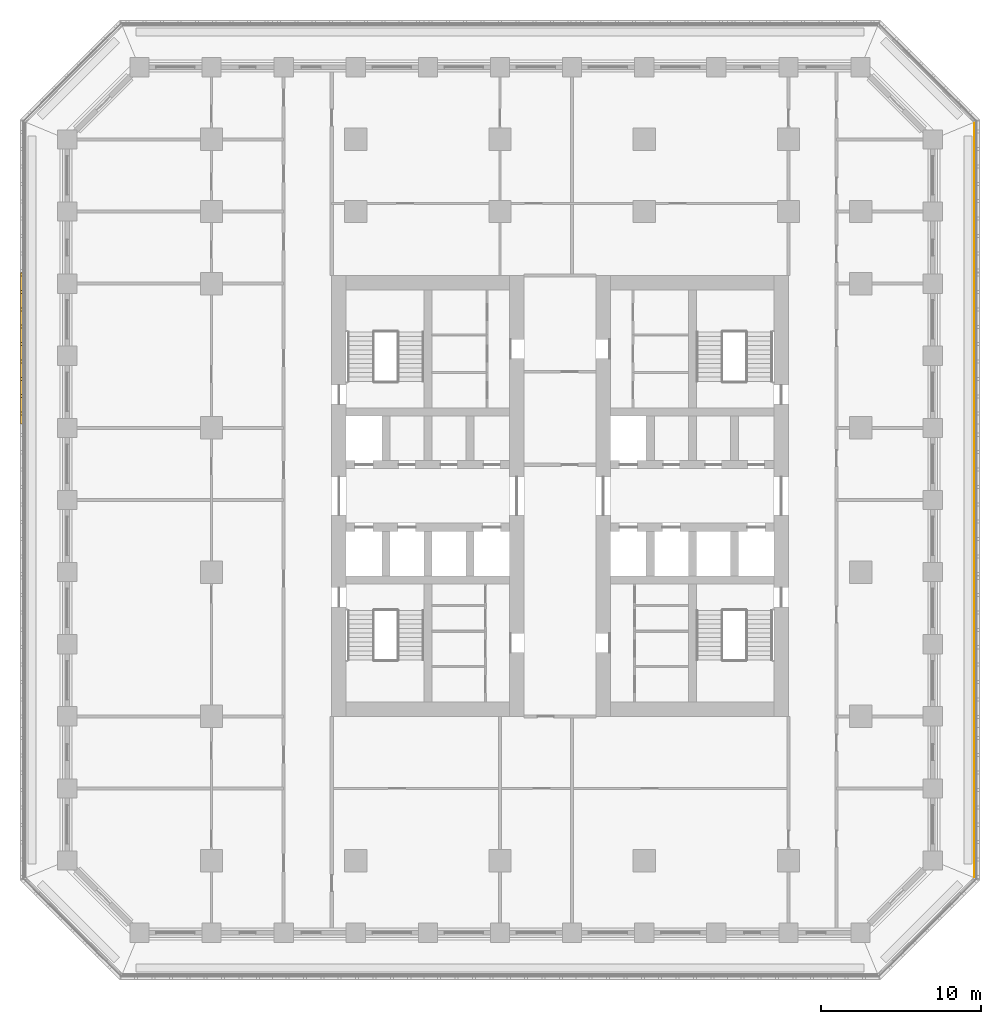
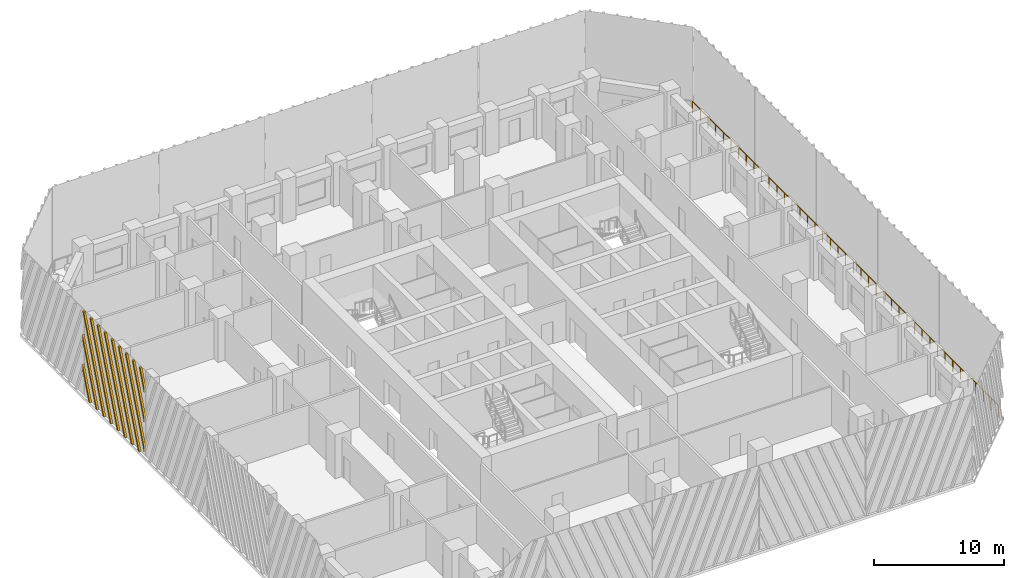
# One storey, part 14 of 19: 1 railing, 1 shading device.
"""IFC4 building model written with IfcOpenShell, lengths in metres."""

from ifc_helpers import new_model, si_unit, direction, frame, origin, origin_2d, place, context, subcontext, project, spatial, polyline, circle, outline, extrude, source, transform, mapped, material, type_object, element, save


model = new_model("IFC4")

# Units and contexts
model_context = context("Model", 3, precision=1e-05, world=origin(), true_north=direction((0.0, 1.0)))
body_context = subcontext(model_context, "Body", "Model", "MODEL_VIEW")
ifc_project = project(units=[si_unit("LENGTHUNIT", "METRE"), si_unit("AREAUNIT", "SQUARE_METRE"), si_unit("VOLUMEUNIT", "CUBIC_METRE"), si_unit("PLANEANGLEUNIT", "RADIAN"), si_unit("MASSUNIT", "GRAM", prefix="KILO")], contexts=[model_context])

# Site, building, storey
site_placement = place(None, origin())
site = spatial("IfcSite", under=ifc_project, at=site_placement, CompositionType="ELEMENT")
building_placement = place(site_placement, origin())
building = spatial("IfcBuilding", under=site, at=building_placement, Name="Corbel Stack Research Tower", CompositionType="ELEMENT")
storey_placement = place(building_placement, frame((0.0, 0.0, 133.10009765625)))
storey = spatial("IfcBuildingStorey", under=building, at=storey_placement, Name="L30", CompositionType="ELEMENT", Elevation=133.10009765625)

# Railing
ifc_material_1 = material(Name="Powder-coated steel guard", Category="steel")
railing_type = type_object("IfcRailingType", Name="Steel and glass guard 1100", PredefinedType="GUARDRAIL", material=ifc_material_1)
railing_placement = place(storey_placement, frame((29.60009765625, -19.00537109375, 0.0)))
element("IfcRailing", 1, at=railing_placement, inside=storey, type_object=railing_type, Name="Loggia guard L30 E", PredefinedType="GUARDRAIL", context=body_context, shape_type="SweptSolid", body=[
    extrude(circle(Radius=0.02392578125, at=origin_2d()), frame((0.0, 0.0, 1.076171875), z_axis=(0.0, 1.0, 0.0), x_axis=(-1.0, 0.0, 0.0)), (0.0, 0.0, 1.0), 47.0107421875),
    extrude(circle(Radius=0.02099609375, at=origin_2d()), origin(), (0.0, 0.0, 1.0), 1.052001953125),
    extrude(circle(Radius=0.02099609375, at=origin_2d()), frame((0.0, 1.17529296875, 0.0)), (0.0, 0.0, 1.0), 1.052001953125),
    extrude(circle(Radius=0.02099609375, at=origin_2d()), frame((0.0, 2.3505859375, 0.0)), (0.0, 0.0, 1.0), 1.052001953125),
    extrude(circle(Radius=0.02099609375, at=origin_2d()), frame((0.0, 3.52587890625, 0.0)), (0.0, 0.0, 1.0), 1.052001953125),
    extrude(circle(Radius=0.02099609375, at=origin_2d()), frame((0.0, 4.701171875, 0.0)), (0.0, 0.0, 1.0), 1.052001953125),
    extrude(circle(Radius=0.02099609375, at=origin_2d()), frame((0.0, 5.87646484375, 0.0)), (0.0, 0.0, 1.0), 1.052001953125),
    extrude(circle(Radius=0.02099609375, at=origin_2d()), frame((0.0, 7.051513671875, 0.0)), (0.0, 0.0, 1.0), 1.052001953125),
    extrude(circle(Radius=0.02099609375, at=origin_2d()), frame((0.0, 8.226806640625, 0.0)), (0.0, 0.0, 1.0), 1.052001953125),
    extrude(circle(Radius=0.02099609375, at=origin_2d()), frame((0.0, 9.402099609375, 0.0)), (0.0, 0.0, 1.0), 1.052001953125),
    extrude(circle(Radius=0.02099609375, at=origin_2d()), frame((0.0, 10.577392578125, 0.0)), (0.0, 0.0, 1.0), 1.052001953125),
    extrude(circle(Radius=0.02099609375, at=origin_2d()), frame((0.0, 11.752685546875, 0.0)), (0.0, 0.0, 1.0), 1.052001953125),
    extrude(circle(Radius=0.02099609375, at=origin_2d()), frame((0.0, 12.927978515625, 0.0)), (0.0, 0.0, 1.0), 1.052001953125),
    extrude(circle(Radius=0.02099609375, at=origin_2d()), frame((0.0, 14.103271484375, 0.0)), (0.0, 0.0, 1.0), 1.052001953125),
    extrude(circle(Radius=0.02099609375, at=origin_2d()), frame((0.0, 15.278564453125, 0.0)), (0.0, 0.0, 1.0), 1.052001953125),
    extrude(circle(Radius=0.02099609375, at=origin_2d()), frame((0.0, 16.453857421875, 0.0)), (0.0, 0.0, 1.0), 1.052001953125),
    extrude(circle(Radius=0.02099609375, at=origin_2d()), frame((0.0, 17.62890625, 0.0)), (0.0, 0.0, 1.0), 1.052001953125),
    extrude(circle(Radius=0.02099609375, at=origin_2d()), frame((0.0, 18.80419921875, 0.0)), (0.0, 0.0, 1.0), 1.052001953125),
    extrude(circle(Radius=0.02099609375, at=origin_2d()), frame((0.0, 19.9794921875, 0.0)), (0.0, 0.0, 1.0), 1.052001953125),
    extrude(circle(Radius=0.02099609375, at=origin_2d()), frame((0.0, 21.15478515625, 0.0)), (0.0, 0.0, 1.0), 1.052001953125),
    extrude(circle(Radius=0.02099609375, at=origin_2d()), frame((0.0, 22.330078125, 0.0)), (0.0, 0.0, 1.0), 1.052001953125),
    extrude(circle(Radius=0.02099609375, at=origin_2d()), frame((0.0, 23.50537109375, 0.0)), (0.0, 0.0, 1.0), 1.052001953125),
    extrude(circle(Radius=0.02099609375, at=origin_2d()), frame((0.0, 24.6806640625, 0.0)), (0.0, 0.0, 1.0), 1.052001953125),
    extrude(circle(Radius=0.02099609375, at=origin_2d()), frame((0.0, 25.85595703125, 0.0)), (0.0, 0.0, 1.0), 1.052001953125),
    extrude(circle(Radius=0.02099609375, at=origin_2d()), frame((0.0, 27.03125, 0.0)), (0.0, 0.0, 1.0), 1.052001953125),
    extrude(circle(Radius=0.02099609375, at=origin_2d()), frame((0.0, 28.20654296875, 0.0)), (0.0, 0.0, 1.0), 1.052001953125),
    extrude(circle(Radius=0.02099609375, at=origin_2d()), frame((0.0, 29.3818359375, 0.0)), (0.0, 0.0, 1.0), 1.052001953125),
    extrude(circle(Radius=0.02099609375, at=origin_2d()), frame((0.0, 30.556884765625, 0.0)), (0.0, 0.0, 1.0), 1.052001953125),
    extrude(circle(Radius=0.02099609375, at=origin_2d()), frame((0.0, 31.732177734375, 0.0)), (0.0, 0.0, 1.0), 1.052001953125),
    extrude(circle(Radius=0.02099609375, at=origin_2d()), frame((0.0, 32.907470703125, 0.0)), (0.0, 0.0, 1.0), 1.052001953125),
    extrude(circle(Radius=0.02099609375, at=origin_2d()), frame((0.0, 34.082763671875, 0.0)), (0.0, 0.0, 1.0), 1.052001953125),
    extrude(circle(Radius=0.02099609375, at=origin_2d()), frame((0.0, 35.258056640625, 0.0)), (0.0, 0.0, 1.0), 1.052001953125),
    extrude(circle(Radius=0.02099609375, at=origin_2d()), frame((0.0, 36.433349609375, 0.0)), (0.0, 0.0, 1.0), 1.052001953125),
    extrude(circle(Radius=0.02099609375, at=origin_2d()), frame((0.0, 37.608642578125, 0.0)), (0.0, 0.0, 1.0), 1.052001953125),
    extrude(circle(Radius=0.02099609375, at=origin_2d()), frame((0.0, 38.783935546875, 0.0)), (0.0, 0.0, 1.0), 1.052001953125),
    extrude(circle(Radius=0.02099609375, at=origin_2d()), frame((0.0, 39.959228515625, 0.0)), (0.0, 0.0, 1.0), 1.052001953125),
    extrude(circle(Radius=0.02099609375, at=origin_2d()), frame((0.0, 41.13427734375, 0.0)), (0.0, 0.0, 1.0), 1.052001953125),
    extrude(circle(Radius=0.02099609375, at=origin_2d()), frame((0.0, 42.3095703125, 0.0)), (0.0, 0.0, 1.0), 1.052001953125),
    extrude(circle(Radius=0.02099609375, at=origin_2d()), frame((0.0, 43.48486328125, 0.0)), (0.0, 0.0, 1.0), 1.052001953125),
    extrude(circle(Radius=0.02099609375, at=origin_2d()), frame((0.0, 44.66015625, 0.0)), (0.0, 0.0, 1.0), 1.052001953125),
    extrude(circle(Radius=0.02099609375, at=origin_2d()), frame((0.0, 45.83544921875, 0.0)), (0.0, 0.0, 1.0), 1.052001953125),
    extrude(circle(Radius=0.02099609375, at=origin_2d()), frame((0.0, 47.0107421875, 0.0)), (0.0, 0.0, 1.0), 1.052001953125),
])

# Shading device
ifc_material_2 = material(Name="Precast terracotta", Category="masonry")
shading_device_type = type_object("IfcShadingDeviceType", Name="Terracotta screen panel", PredefinedType="USERDEFINED", material=ifc_material_2)
shared_shape = source(origin(), body_context, "Body", "SweptSolid", [
    extrude(outline(polyline([(1.14453125, 0.0), (0.0, 2.930419921875), (0.0, 2.44384765625), (0.95458984375, 0.0), (1.14453125, 0.0)])), frame((0.0, 0.0, 0.0), z_axis=(0.0, -1.0, 0.0), x_axis=(1.0, 0.0, 0.0)), (0.0, 0.0, 1.0), 0.179931640625),
    extrude(outline(polyline([(2.22900390625, 0.0), (0.0, 5.707763671875), (0.0, 5.22119140625), (2.0390625, 0.0), (2.22900390625, 0.0)])), frame((0.0, 0.0, 0.0), z_axis=(0.0, -1.0, 0.0), x_axis=(1.0, 0.0, 0.0)), (0.0, 0.0, 1.0), 0.179931640625),
    extrude(outline(polyline([(3.313720703125, 0.0), (0.208984375, 7.949951171875), (0.01904296875, 7.949951171875), (3.123779296875, 0.0), (3.313720703125, 0.0)])), frame((0.0, 0.0, 0.0), z_axis=(0.0, -1.0, 0.0), x_axis=(1.0, 0.0, 0.0)), (0.0, 0.0, 1.0), 0.179931640625),
    extrude(outline(polyline([(4.3984375, 0.0), (1.293701171875, 7.949951171875), (1.103515625, 7.949951171875), (4.20849609375, 0.0), (4.3984375, 0.0)])), frame((0.0, 0.0, 0.0), z_axis=(0.0, -1.0, 0.0), x_axis=(1.0, 0.0, 0.0)), (0.0, 0.0, 1.0), 0.179931640625),
    extrude(outline(polyline([(5.483154296875, 0.0), (2.37841796875, 7.949951171875), (2.188232421875, 7.949951171875), (5.293212890625, 0.0), (5.483154296875, 0.0)])), frame((0.0, 0.0, 0.0), z_axis=(0.0, -1.0, 0.0), x_axis=(1.0, 0.0, 0.0)), (0.0, 0.0, 1.0), 0.179931640625),
    extrude(outline(polyline([(6.56787109375, 0.0), (3.462890625, 7.949951171875), (3.27294921875, 7.949951171875), (6.377685546875, 0.0), (6.56787109375, 0.0)])), frame((0.0, 0.0, 0.0), z_axis=(0.0, -1.0, 0.0), x_axis=(1.0, 0.0, 0.0)), (0.0, 0.0, 1.0), 0.179931640625),
    extrude(outline(polyline([(7.652587890625, 0.0), (4.547607421875, 7.949951171875), (4.357666015625, 7.949951171875), (7.46240234375, 0.0), (7.652587890625, 0.0)])), frame((0.0, 0.0, 0.0), z_axis=(0.0, -1.0, 0.0), x_axis=(1.0, 0.0, 0.0)), (0.0, 0.0, 1.0), 0.179931640625),
    extrude(outline(polyline([(8.737060546875, 0.0), (5.63232421875, 7.949951171875), (5.4423828125, 7.949951171875), (8.547119140625, 0.0), (8.737060546875, 0.0)])), frame((0.0, 0.0, 0.0), z_axis=(0.0, -1.0, 0.0), x_axis=(1.0, 0.0, 0.0)), (0.0, 0.0, 1.0), 0.179931640625),
    extrude(outline(polyline([(6.716796875, 7.949951171875), (6.52685546875, 7.949951171875), (9.45556640625, 0.451171875), (9.45556640625, 0.9375), (6.716796875, 7.949951171875)])), frame((0.0, 0.0, 0.0), z_axis=(0.0, -1.0, 0.0), x_axis=(1.0, 0.0, 0.0)), (0.0, 0.0, 1.0), 0.179931640625),
    extrude(outline(polyline([(7.801513671875, 7.949951171875), (7.611572265625, 7.949951171875), (9.45556640625, 3.228515625), (9.45556640625, 3.71484375), (7.801513671875, 7.949951171875)])), frame((0.0, 0.0, 0.0), z_axis=(0.0, -1.0, 0.0), x_axis=(1.0, 0.0, 0.0)), (0.0, 0.0, 1.0), 0.179931640625),
    extrude(outline(polyline([(8.88623046875, 7.949951171875), (8.6962890625, 7.949951171875), (9.45556640625, 6.005615234375), (9.45556640625, 6.4921875), (8.88623046875, 7.949951171875)])), frame((0.0, 0.0, 0.0), z_axis=(0.0, -1.0, 0.0), x_axis=(1.0, 0.0, 0.0)), (0.0, 0.0, 1.0), 0.179931640625),
])
shading_device_placement = place(storey_placement, frame((-29.75, 18.68359375, 0.0), z_axis=(0.0, 0.0, 1.0), x_axis=(0.0, -1.0, 0.0)))
element("IfcShadingDevice", 2, at=shading_device_placement, inside=storey, type_object=shading_device_type, Name="Terracotta screen L30 W2", ObjectType="SCREEN", PredefinedType="USERDEFINED", context=body_context, shape_type="MappedRepresentation", body=[
    mapped(shared_shape, transform((0.0, 0.0, 0.0))),
])

save(model, "model.ifc")
